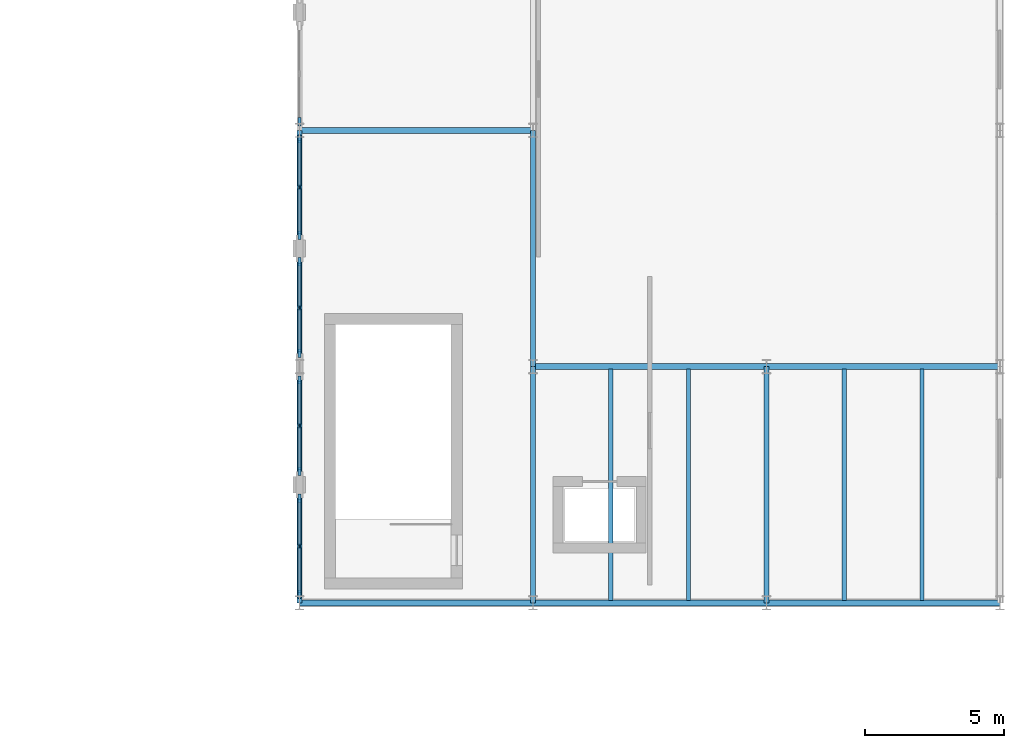
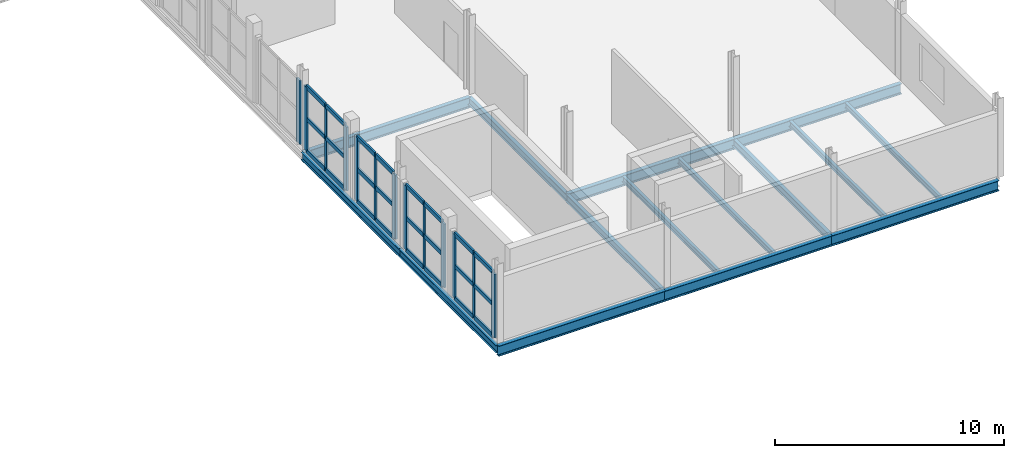
# One storey, part 12 of 45: 37 members, 15 beams, 5 elements without a shape of their own.
"""IFC4 building model written with IfcOpenShell, lengths in metres."""

from ifc_helpers import new_model, si_unit, direction, frame, origin, origin_2d, place, context, subcontext, project, spatial, rectangle, i_section, extrude, material, layer, layer_set, material_profile, profile_set, type_object, element, aggregate, save


model = new_model("IFC4")

# Units and contexts
model_context = context("Model", 3, precision=1e-05, world=origin(), true_north=direction((0.0, 1.0)))
body_context = subcontext(model_context, "Body", "Model", "MODEL_VIEW")
ifc_project = project(units=[si_unit("LENGTHUNIT", "METRE"), si_unit("AREAUNIT", "SQUARE_METRE"), si_unit("VOLUMEUNIT", "CUBIC_METRE"), si_unit("PLANEANGLEUNIT", "RADIAN"), si_unit("MASSUNIT", "GRAM", prefix="KILO")], contexts=[model_context])

# Site, building, storey
site_placement = place(None, origin())
site = spatial("IfcSite", under=ifc_project, at=site_placement, CompositionType="ELEMENT")
building_placement = place(site_placement, origin())
building = spatial("IfcBuilding", under=site, at=building_placement, Name="Sefraquen Railside Congress Hotel", CompositionType="ELEMENT")
storey_placement = place(building_placement, frame((0.0, 0.0, 20.39990234375)))
storey = spatial("IfcBuildingStorey", under=building, at=storey_placement, Name="L04", CompositionType="ELEMENT", Elevation=20.39990234375)

# Beams
ifc_material_1 = material(Name="Steel S355JR", Category="steel")
ifc_material_profile_1 = material_profile(ifc_material_1, i_section(OverallWidth=0.179931640625, OverallDepth=0.39990234375, WebThickness=0.008544921875, FlangeThickness=0.013427734375, FilletRadius=0.02099609375, at=origin_2d()), Name="IPE 400")
ifc_profile_set_1 = profile_set([ifc_material_profile_1], Name="Steel S355JR")
beam_type_1 = type_object("IfcBeamType", Name="TB-BM-400I", PredefinedType="BEAM", material=ifc_profile_set_1)
for number, where, z_axis, x_axis, name in (
    (1, (103.199951171875, 54.0, -0.47998046875), (0.0, 1.0, 0.0), (-1.0, 0.0, 0.0), "Floor beam BM-L04-1396"),
    (2, (103.199951171875, 62.5, -0.47998046875), (0.0, 1.0, 0.0), (-1.0, 0.0, 0.0), "Floor beam BM-L04-1397"),
    (3, (111.60009765625, 54.0, -0.47998046875), (0.0, 1.0, 0.0), (-1.0, 0.0, 0.0), "Floor beam BM-L04-1404"),
    (4, (111.60009765625, 62.5, -0.47998046875), (0.0, 1.0, 0.0), (-1.0, 0.0, 0.0), "Floor beam BM-L04-1405"),
    (5, (120.0, 54.0, -0.47998046875), (0.0, 1.0, 0.0), (-1.0, 0.0, 0.0), "Floor beam BM-L04-1412"),
):
    element("IfcBeam", number, at=place(storey_placement, frame(where, z_axis=z_axis, x_axis=x_axis)), inside=storey, type_object=beam_type_1, Name=name, PredefinedType="BEAM", context=body_context, shape_type="SweptSolid", body=[
        extrude(i_section(OverallWidth=0.179931640625, OverallDepth=0.39990234375, WebThickness=0.008544921875, FlangeThickness=0.013427734375, FilletRadius=0.02099609375, at=origin_2d()), origin(), (0.0, 0.0, 1.0), 8.5),
    ])
ifc_material_profile_2 = material_profile(ifc_material_1, i_section(OverallWidth=0.2099609375, OverallDepth=0.550048828125, WebThickness=0.010986328125, FlangeThickness=0.01708984375, FilletRadius=0.02392578125, at=origin_2d()), Name="IPE 550")
ifc_profile_set_2 = profile_set([ifc_material_profile_2], Name="Steel S355JR")
beam_type_2 = type_object("IfcBeamType", Name="TB-GIR-550", PredefinedType="T_BEAM", material=ifc_profile_set_2)
beam_1_placement = place(storey_placement, frame((103.199951171875, 54.0, -0.554931640625), z_axis=(1.0, 0.0, 0.0), x_axis=(0.0, 1.0, 0.0)))
element("IfcBeam", 6, at=beam_1_placement, inside=storey, type_object=beam_type_2, Name="Primary girder BM-L04-1260", PredefinedType="T_BEAM", context=body_context, shape_type="SweptSolid", body=[
    extrude(i_section(OverallWidth=0.2099609375, OverallDepth=0.550048828125, WebThickness=0.010986328125, FlangeThickness=0.01708984375, FilletRadius=0.02392578125, at=origin_2d()), origin(), (0.0, 0.0, 1.0), 8.400146484375),
])
for number, where, z_axis, x_axis, name in (
    (7, (111.60009765625, 54.0, -0.554931640625), (1.0, 0.0, 0.0), (0.0, 1.0, 0.0), "Primary girder BM-L04-1261"),
    (8, (120.0, 54.0, -0.554931640625), (1.0, 0.0, 0.0), (0.0, 1.0, 0.0), "Primary girder BM-L04-1262"),
    (9, (111.60009765625, 62.5, -0.554931640625), (1.0, 0.0, 0.0), (0.0, 1.0, 0.0), "Primary girder BM-L04-1266"),
    (10, (120.0, 62.5, -0.554931640625), (1.0, 0.0, 0.0), (0.0, 1.0, 0.0), "Primary girder BM-L04-1267"),
):
    element("IfcBeam", number, at=place(storey_placement, frame(where, z_axis=z_axis, x_axis=x_axis)), inside=storey, type_object=beam_type_2, Name=name, PredefinedType="T_BEAM", context=body_context, shape_type="SweptSolid", body=[
        extrude(i_section(OverallWidth=0.2099609375, OverallDepth=0.550048828125, WebThickness=0.010986328125, FlangeThickness=0.01708984375, FilletRadius=0.02392578125, at=origin_2d()), origin(), (0.0, 0.0, 1.0), 8.39990234375),
    ])
beam_2_placement = place(storey_placement, frame((103.199951171875, 71.0, -0.554931640625), z_axis=(1.0, 0.0, 0.0), x_axis=(0.0, 1.0, 0.0)))
element("IfcBeam", 11, at=beam_2_placement, inside=storey, type_object=beam_type_2, Name="Primary girder BM-L04-1271", PredefinedType="T_BEAM", context=body_context, shape_type="SweptSolid", body=[
    extrude(i_section(OverallWidth=0.2099609375, OverallDepth=0.550048828125, WebThickness=0.010986328125, FlangeThickness=0.01708984375, FilletRadius=0.02392578125, at=origin_2d()), origin(), (0.0, 0.0, 1.0), 8.400146484375),
])
ifc_material_profile_3 = material_profile(ifc_material_1, i_section(OverallWidth=0.14990234375, OverallDepth=0.300048828125, WebThickness=0.007080078125, FlangeThickness=0.0107421875, FilletRadius=0.014892578125, at=origin_2d()), Name="IPE 300")
ifc_profile_set_3 = profile_set([ifc_material_profile_3], Name="Steel S355JR")
beam_type_3 = type_object("IfcBeamType", Name="TB-JST-300", PredefinedType="JOIST", material=ifc_profile_set_3)
for number, where, z_axis, x_axis, name in (
    (12, (114.39990234375, 54.0849609375, -0.429931640625), (0.0, 1.0, 0.0), (-1.0, 0.0, 0.0), "Composite floor joist BM-L04-J0920"),
    (13, (117.199951171875, 54.0849609375, -0.429931640625), (0.0, 1.0, 0.0), (-1.0, 0.0, 0.0), "Composite floor joist BM-L04-J0921"),
    (14, (122.800048828125, 54.0849609375, -0.429931640625), (0.0, 1.0, 0.0), (-1.0, 0.0, 0.0), "Composite floor joist BM-L04-J0932"),
    (15, (125.60009765625, 54.0849609375, -0.429931640625), (0.0, 1.0, 0.0), (-1.0, 0.0, 0.0), "Composite floor joist BM-L04-J0933"),
):
    element("IfcBeam", number, at=place(storey_placement, frame(where, z_axis=z_axis, x_axis=x_axis)), inside=storey, type_object=beam_type_3, Name=name, PredefinedType="JOIST", context=body_context, shape_type="SweptSolid", body=[
        extrude(i_section(OverallWidth=0.14990234375, OverallDepth=0.300048828125, WebThickness=0.007080078125, FlangeThickness=0.0107421875, FilletRadius=0.014892578125, at=origin_2d()), origin(), (0.0, 0.0, 1.0), 8.330078125),
    ])

# Curtain wall, member
ifc_material_2 = material(Name="Thermally broken anodised aluminium and low-E double glazing", Category="aluminium")
ifc_layer_1 = layer(ifc_material_2, 0.199951171875)
ifc_layer_set_1 = layer_set([ifc_layer_1], Name="Thermally broken anodised aluminium and low-E double glazing")
curtain_wall_type_1 = type_object("IfcCurtainWallType", Name="TCW-UCW-08", PredefinedType="USERDEFINED", material=ifc_layer_set_1)
curtain_wall_1_placement = place(storey_placement, origin())
curtain_wall_1 = element("IfcCurtainWall", 16, at=curtain_wall_1_placement, inside=storey, type_object=curtain_wall_type_1, Name="Meeting Wing L04 courtyard east curtain wall", ObjectType="UNITISED CURTAIN WALL", PredefinedType="USERDEFINED")
ifc_material_3 = material(Name="Thermally broken anodised aluminium 6063-T6", Category="aluminium")
ifc_material_profile_4 = material_profile(ifc_material_3, rectangle(XDim=0.06494140625, YDim=0.179931640625, at=origin_2d()), Name="CWM 65x180")
ifc_profile_set_4 = profile_set([ifc_material_profile_4], Name="Thermally broken anodised aluminium 6063-T6")
member_type_1 = type_object("IfcMemberType", Name="TM-CWM-02", PredefinedType="MULLION", material=ifc_profile_set_4)
member_1_placement = place(storey_placement, frame((103.199951171875, 56.0400390625, 0.0), z_axis=(0.0, 0.0, 1.0), x_axis=(1.0, 0.0, 0.0)))
member_1 = element("IfcMember", 17, at=member_1_placement, type_object=member_type_1, Name="CW-L04-072 mullion 2", PredefinedType="MULLION", context=body_context, shape_type="SweptSolid", body=[
    extrude(rectangle(XDim=0.06494140625, YDim=0.179931640625, at=origin_2d()), origin(), (0.0, 0.0, 1.0), 3.39013671875),
])

curtain_wall_2_placement = place(storey_placement, origin())
curtain_wall_2 = element("IfcCurtainWall", 18, at=curtain_wall_2_placement, inside=storey, type_object=curtain_wall_type_1, Name="Meeting Wing L04 courtyard east curtain wall bay 2", ObjectType="UNITISED CURTAIN WALL", PredefinedType="USERDEFINED")
member_2_placement = place(storey_placement, frame((103.199951171875, 60.375, 0.0), z_axis=(0.0, 0.0, 1.0), x_axis=(1.0, 0.0, 0.0)))
member_2 = element("IfcMember", 19, at=member_2_placement, type_object=member_type_1, Name="CW-L04-072-S2 mullion 2", PredefinedType="MULLION", context=body_context, shape_type="SweptSolid", body=[
    extrude(rectangle(XDim=0.06494140625, YDim=0.179931640625, at=origin_2d()), origin(), (0.0, 0.0, 1.0), 3.39013671875),
])

curtain_wall_3_placement = place(storey_placement, origin())
curtain_wall_3 = element("IfcCurtainWall", 20, at=curtain_wall_3_placement, inside=storey, type_object=curtain_wall_type_1, Name="Meeting Wing L04 courtyard east curtain wall bay 3", ObjectType="UNITISED CURTAIN WALL", PredefinedType="USERDEFINED")
member_3_placement = place(storey_placement, frame((103.199951171875, 64.625, 0.0), z_axis=(0.0, 0.0, 1.0), x_axis=(1.0, 0.0, 0.0)))
member_3 = element("IfcMember", 21, at=member_3_placement, type_object=member_type_1, Name="CW-L04-072-S3 mullion 2", PredefinedType="MULLION", context=body_context, shape_type="SweptSolid", body=[
    extrude(rectangle(XDim=0.06494140625, YDim=0.179931640625, at=origin_2d()), origin(), (0.0, 0.0, 1.0), 3.39013671875),
])

curtain_wall_4_placement = place(storey_placement, origin())
curtain_wall_4 = element("IfcCurtainWall", 22, at=curtain_wall_4_placement, inside=storey, type_object=curtain_wall_type_1, Name="Meeting Wing L04 courtyard east curtain wall bay 4", ObjectType="UNITISED CURTAIN WALL", PredefinedType="USERDEFINED")
member_4_placement = place(storey_placement, frame((103.199951171875, 68.9599609375, 0.0), z_axis=(0.0, 0.0, 1.0), x_axis=(1.0, 0.0, 0.0)))
member_4 = element("IfcMember", 23, at=member_4_placement, type_object=member_type_1, Name="CW-L04-072-S4 mullion 2", PredefinedType="MULLION", context=body_context, shape_type="SweptSolid", body=[
    extrude(rectangle(XDim=0.06494140625, YDim=0.179931640625, at=origin_2d()), origin(), (0.0, 0.0, 1.0), 3.39013671875),
])

# Member
ifc_material_profile_5 = material_profile(ifc_material_3, rectangle(XDim=0.094970703125, YDim=0.300048828125, at=origin_2d()), Name="CWM 95x300")
ifc_profile_set_5 = profile_set([ifc_material_profile_5], Name="Thermally broken anodised aluminium 6063-T6")
member_type_2 = type_object("IfcMemberType", Name="TM-CWM-08", PredefinedType="MULLION", material=ifc_profile_set_5)
member_5_placement = place(storey_placement, frame((103.199951171875, 54.31005859375, 0.0), z_axis=(0.0, 0.0, 1.0), x_axis=(1.0, 0.0, 0.0)))
member_5 = element("IfcMember", 24, at=member_5_placement, type_object=member_type_2, Name="CW-L04-072 mullion 1", PredefinedType="MULLION", context=body_context, shape_type="SweptSolid", body=[
    extrude(rectangle(XDim=0.094970703125, YDim=0.300048828125, at=origin_2d()), origin(), (0.0, 0.0, 1.0), 3.39013671875),
])

member_6_placement = place(storey_placement, frame((103.199951171875, 57.77001953125, 0.0), z_axis=(0.0, 0.0, 1.0), x_axis=(1.0, 0.0, 0.0)))
member_6 = element("IfcMember", 25, at=member_6_placement, type_object=member_type_2, Name="CW-L04-072 mullion 3", PredefinedType="MULLION", context=body_context, shape_type="SweptSolid", body=[
    extrude(rectangle(XDim=0.094970703125, YDim=0.300048828125, at=origin_2d()), origin(), (0.0, 0.0, 1.0), 3.39013671875),
])

member_7_placement = place(storey_placement, frame((103.199951171875, 58.72998046875, 0.0), z_axis=(0.0, 0.0, 1.0), x_axis=(1.0, 0.0, 0.0)))
member_7 = element("IfcMember", 26, at=member_7_placement, type_object=member_type_2, Name="CW-L04-072-S2 mullion 1", PredefinedType="MULLION", context=body_context, shape_type="SweptSolid", body=[
    extrude(rectangle(XDim=0.094970703125, YDim=0.300048828125, at=origin_2d()), origin(), (0.0, 0.0, 1.0), 3.39013671875),
])

member_8_placement = place(storey_placement, frame((103.199951171875, 62.02001953125, 0.0), z_axis=(0.0, 0.0, 1.0), x_axis=(1.0, 0.0, 0.0)))
member_8 = element("IfcMember", 27, at=member_8_placement, type_object=member_type_2, Name="CW-L04-072-S2 mullion 3", PredefinedType="MULLION", context=body_context, shape_type="SweptSolid", body=[
    extrude(rectangle(XDim=0.094970703125, YDim=0.300048828125, at=origin_2d()), origin(), (0.0, 0.0, 1.0), 3.39013671875),
])

member_9_placement = place(storey_placement, frame((103.199951171875, 62.97998046875, 0.0), z_axis=(0.0, 0.0, 1.0), x_axis=(1.0, 0.0, 0.0)))
member_9 = element("IfcMember", 28, at=member_9_placement, type_object=member_type_2, Name="CW-L04-072-S3 mullion 1", PredefinedType="MULLION", context=body_context, shape_type="SweptSolid", body=[
    extrude(rectangle(XDim=0.094970703125, YDim=0.300048828125, at=origin_2d()), origin(), (0.0, 0.0, 1.0), 3.39013671875),
])

member_10_placement = place(storey_placement, frame((103.199951171875, 66.27001953125, 0.0), z_axis=(0.0, 0.0, 1.0), x_axis=(1.0, 0.0, 0.0)))
member_10 = element("IfcMember", 29, at=member_10_placement, type_object=member_type_2, Name="CW-L04-072-S3 mullion 3", PredefinedType="MULLION", context=body_context, shape_type="SweptSolid", body=[
    extrude(rectangle(XDim=0.094970703125, YDim=0.300048828125, at=origin_2d()), origin(), (0.0, 0.0, 1.0), 3.39013671875),
])

member_11_placement = place(storey_placement, frame((103.199951171875, 67.22998046875, 0.0), z_axis=(0.0, 0.0, 1.0), x_axis=(1.0, 0.0, 0.0)))
member_11 = element("IfcMember", 30, at=member_11_placement, type_object=member_type_2, Name="CW-L04-072-S4 mullion 1", PredefinedType="MULLION", context=body_context, shape_type="SweptSolid", body=[
    extrude(rectangle(XDim=0.094970703125, YDim=0.300048828125, at=origin_2d()), origin(), (0.0, 0.0, 1.0), 3.39013671875),
])

member_12_placement = place(storey_placement, frame((103.199951171875, 70.68994140625, 0.0), z_axis=(0.0, 0.0, 1.0), x_axis=(1.0, 0.0, 0.0)))
member_12 = element("IfcMember", 31, at=member_12_placement, type_object=member_type_2, Name="CW-L04-072-S4 mullion 3", PredefinedType="MULLION", context=body_context, shape_type="SweptSolid", body=[
    extrude(rectangle(XDim=0.094970703125, YDim=0.300048828125, at=origin_2d()), origin(), (0.0, 0.0, 1.0), 3.39013671875),
])

# Curtain wall, member
ifc_layer_2 = layer(ifc_material_2, 0.199951171875)
ifc_layer_set_2 = layer_set([ifc_layer_2], Name="Thermally broken anodised aluminium and low-E double glazing")
curtain_wall_type_2 = type_object("IfcCurtainWallType", Name="TCW-UCW-09", PredefinedType="USERDEFINED", material=ifc_layer_set_2)
curtain_wall_5_placement = place(storey_placement, origin())
curtain_wall_5 = element("IfcCurtainWall", 32, at=curtain_wall_5_placement, inside=storey, type_object=curtain_wall_type_2, Name="Meeting Wing L04 courtyard east curtain wall", ObjectType="UNITISED CURTAIN WALL", PredefinedType="USERDEFINED")
member_13_placement = place(storey_placement, frame((103.199951171875, 71.31005859375, 0.0), z_axis=(0.0, 0.0, 1.0), x_axis=(1.0, 0.0, 0.0)))
member_13 = element("IfcMember", 33, at=member_13_placement, type_object=member_type_2, Name="CW-L04-073 mullion 1", PredefinedType="MULLION", context=body_context, shape_type="SweptSolid", body=[
    extrude(rectangle(XDim=0.094970703125, YDim=0.300048828125, at=origin_2d()), origin(), (0.0, 0.0, 1.0), 3.39013671875),
])
aggregate(curtain_wall_5, [member_13])

# Member
ifc_material_profile_6 = material_profile(ifc_material_3, rectangle(XDim=0.094970703125, YDim=0.22509765625, at=origin_2d()), Name="CWT 95x225")
ifc_profile_set_6 = profile_set([ifc_material_profile_6], Name="Thermally broken anodised aluminium 6063-T6")
member_type_3 = type_object("IfcMemberType", Name="TM-CWT-08", PredefinedType="USERDEFINED", material=ifc_profile_set_6)
member_14_placement = place(storey_placement, frame((103.199951171875, 54.35498046875, 0.0), z_axis=(0.0, 1.0, 0.0), x_axis=(-1.0, 0.0, 0.0)))
member_14 = element("IfcMember", 34, at=member_14_placement, type_object=member_type_3, Name="CW-L04-072 transom 1.1", ObjectType="TRANSOM", PredefinedType="USERDEFINED", context=body_context, shape_type="SweptSolid", body=[
    extrude(rectangle(XDim=0.094970703125, YDim=0.22509765625, at=origin_2d()), origin(), (0.0, 0.0, 1.0), 1.64013671875),
])

member_15_placement = place(storey_placement, frame((103.199951171875, 56.0849609375, 0.0), z_axis=(0.0, 1.0, 0.0), x_axis=(-1.0, 0.0, 0.0)))
member_15 = element("IfcMember", 35, at=member_15_placement, type_object=member_type_3, Name="CW-L04-072 transom 1.2", ObjectType="TRANSOM", PredefinedType="USERDEFINED", context=body_context, shape_type="SweptSolid", body=[
    extrude(rectangle(XDim=0.094970703125, YDim=0.22509765625, at=origin_2d()), origin(), (0.0, 0.0, 1.0), 1.64013671875),
])

member_16_placement = place(storey_placement, frame((103.199951171875, 54.35498046875, 1.695068359375), z_axis=(0.0, 1.0, 0.0), x_axis=(-1.0, 0.0, 0.0)))
member_16 = element("IfcMember", 36, at=member_16_placement, type_object=member_type_3, Name="CW-L04-072 transom 2.1", ObjectType="TRANSOM", PredefinedType="USERDEFINED", context=body_context, shape_type="SweptSolid", body=[
    extrude(rectangle(XDim=0.094970703125, YDim=0.22509765625, at=origin_2d()), origin(), (0.0, 0.0, 1.0), 1.64013671875),
])

member_17_placement = place(storey_placement, frame((103.199951171875, 56.0849609375, 1.695068359375), z_axis=(0.0, 1.0, 0.0), x_axis=(-1.0, 0.0, 0.0)))
member_17 = element("IfcMember", 37, at=member_17_placement, type_object=member_type_3, Name="CW-L04-072 transom 2.2", ObjectType="TRANSOM", PredefinedType="USERDEFINED", context=body_context, shape_type="SweptSolid", body=[
    extrude(rectangle(XDim=0.094970703125, YDim=0.22509765625, at=origin_2d()), origin(), (0.0, 0.0, 1.0), 1.64013671875),
])

member_18_placement = place(storey_placement, frame((103.199951171875, 54.35498046875, 3.39013671875), z_axis=(0.0, 1.0, 0.0), x_axis=(-1.0, 0.0, 0.0)))
member_18 = element("IfcMember", 38, at=member_18_placement, type_object=member_type_3, Name="CW-L04-072 transom 3.1", ObjectType="TRANSOM", PredefinedType="USERDEFINED", context=body_context, shape_type="SweptSolid", body=[
    extrude(rectangle(XDim=0.094970703125, YDim=0.22509765625, at=origin_2d()), origin(), (0.0, 0.0, 1.0), 1.64013671875),
])

member_19_placement = place(storey_placement, frame((103.199951171875, 56.0849609375, 3.39013671875), z_axis=(0.0, 1.0, 0.0), x_axis=(-1.0, 0.0, 0.0)))
member_19 = element("IfcMember", 39, at=member_19_placement, type_object=member_type_3, Name="CW-L04-072 transom 3.2", ObjectType="TRANSOM", PredefinedType="USERDEFINED", context=body_context, shape_type="SweptSolid", body=[
    extrude(rectangle(XDim=0.094970703125, YDim=0.22509765625, at=origin_2d()), origin(), (0.0, 0.0, 1.0), 1.64013671875),
])

aggregate(curtain_wall_1, [member_5, member_1, member_6, member_14, member_15, member_16, member_17, member_18, member_19])

member_20_placement = place(storey_placement, frame((103.199951171875, 58.77490234375, 0.0), z_axis=(0.0, 1.0, 0.0), x_axis=(-1.0, 0.0, 0.0)))
member_20 = element("IfcMember", 40, at=member_20_placement, type_object=member_type_3, Name="CW-L04-072-S2 transom 1.1", ObjectType="TRANSOM", PredefinedType="USERDEFINED", context=body_context, shape_type="SweptSolid", body=[
    extrude(rectangle(XDim=0.094970703125, YDim=0.22509765625, at=origin_2d()), origin(), (0.0, 0.0, 1.0), 1.55517578125),
])

member_21_placement = place(storey_placement, frame((103.199951171875, 60.419921875, 0.0), z_axis=(0.0, 1.0, 0.0), x_axis=(-1.0, 0.0, 0.0)))
member_21 = element("IfcMember", 41, at=member_21_placement, type_object=member_type_3, Name="CW-L04-072-S2 transom 1.2", ObjectType="TRANSOM", PredefinedType="USERDEFINED", context=body_context, shape_type="SweptSolid", body=[
    extrude(rectangle(XDim=0.094970703125, YDim=0.22509765625, at=origin_2d()), origin(), (0.0, 0.0, 1.0), 1.55517578125),
])

member_22_placement = place(storey_placement, frame((103.199951171875, 58.77490234375, 1.695068359375), z_axis=(0.0, 1.0, 0.0), x_axis=(-1.0, 0.0, 0.0)))
member_22 = element("IfcMember", 42, at=member_22_placement, type_object=member_type_3, Name="CW-L04-072-S2 transom 2.1", ObjectType="TRANSOM", PredefinedType="USERDEFINED", context=body_context, shape_type="SweptSolid", body=[
    extrude(rectangle(XDim=0.094970703125, YDim=0.22509765625, at=origin_2d()), origin(), (0.0, 0.0, 1.0), 1.55517578125),
])

member_23_placement = place(storey_placement, frame((103.199951171875, 60.419921875, 1.695068359375), z_axis=(0.0, 1.0, 0.0), x_axis=(-1.0, 0.0, 0.0)))
member_23 = element("IfcMember", 43, at=member_23_placement, type_object=member_type_3, Name="CW-L04-072-S2 transom 2.2", ObjectType="TRANSOM", PredefinedType="USERDEFINED", context=body_context, shape_type="SweptSolid", body=[
    extrude(rectangle(XDim=0.094970703125, YDim=0.22509765625, at=origin_2d()), origin(), (0.0, 0.0, 1.0), 1.55517578125),
])

member_24_placement = place(storey_placement, frame((103.199951171875, 58.77490234375, 3.39013671875), z_axis=(0.0, 1.0, 0.0), x_axis=(-1.0, 0.0, 0.0)))
member_24 = element("IfcMember", 44, at=member_24_placement, type_object=member_type_3, Name="CW-L04-072-S2 transom 3.1", ObjectType="TRANSOM", PredefinedType="USERDEFINED", context=body_context, shape_type="SweptSolid", body=[
    extrude(rectangle(XDim=0.094970703125, YDim=0.22509765625, at=origin_2d()), origin(), (0.0, 0.0, 1.0), 1.55517578125),
])

member_25_placement = place(storey_placement, frame((103.199951171875, 60.419921875, 3.39013671875), z_axis=(0.0, 1.0, 0.0), x_axis=(-1.0, 0.0, 0.0)))
member_25 = element("IfcMember", 45, at=member_25_placement, type_object=member_type_3, Name="CW-L04-072-S2 transom 3.2", ObjectType="TRANSOM", PredefinedType="USERDEFINED", context=body_context, shape_type="SweptSolid", body=[
    extrude(rectangle(XDim=0.094970703125, YDim=0.22509765625, at=origin_2d()), origin(), (0.0, 0.0, 1.0), 1.55517578125),
])

aggregate(curtain_wall_2, [member_7, member_2, member_8, member_20, member_21, member_22, member_23, member_24, member_25])

member_26_placement = place(storey_placement, frame((103.199951171875, 63.02490234375, 0.0), z_axis=(0.0, 1.0, 0.0), x_axis=(-1.0, 0.0, 0.0)))
member_26 = element("IfcMember", 46, at=member_26_placement, type_object=member_type_3, Name="CW-L04-072-S3 transom 1.1", ObjectType="TRANSOM", PredefinedType="USERDEFINED", context=body_context, shape_type="SweptSolid", body=[
    extrude(rectangle(XDim=0.094970703125, YDim=0.22509765625, at=origin_2d()), origin(), (0.0, 0.0, 1.0), 1.55517578125),
])

member_27_placement = place(storey_placement, frame((103.199951171875, 64.669921875, 0.0), z_axis=(0.0, 1.0, 0.0), x_axis=(-1.0, 0.0, 0.0)))
member_27 = element("IfcMember", 47, at=member_27_placement, type_object=member_type_3, Name="CW-L04-072-S3 transom 1.2", ObjectType="TRANSOM", PredefinedType="USERDEFINED", context=body_context, shape_type="SweptSolid", body=[
    extrude(rectangle(XDim=0.094970703125, YDim=0.22509765625, at=origin_2d()), origin(), (0.0, 0.0, 1.0), 1.55517578125),
])

member_28_placement = place(storey_placement, frame((103.199951171875, 63.02490234375, 1.695068359375), z_axis=(0.0, 1.0, 0.0), x_axis=(-1.0, 0.0, 0.0)))
member_28 = element("IfcMember", 48, at=member_28_placement, type_object=member_type_3, Name="CW-L04-072-S3 transom 2.1", ObjectType="TRANSOM", PredefinedType="USERDEFINED", context=body_context, shape_type="SweptSolid", body=[
    extrude(rectangle(XDim=0.094970703125, YDim=0.22509765625, at=origin_2d()), origin(), (0.0, 0.0, 1.0), 1.55517578125),
])

member_29_placement = place(storey_placement, frame((103.199951171875, 64.669921875, 1.695068359375), z_axis=(0.0, 1.0, 0.0), x_axis=(-1.0, 0.0, 0.0)))
member_29 = element("IfcMember", 49, at=member_29_placement, type_object=member_type_3, Name="CW-L04-072-S3 transom 2.2", ObjectType="TRANSOM", PredefinedType="USERDEFINED", context=body_context, shape_type="SweptSolid", body=[
    extrude(rectangle(XDim=0.094970703125, YDim=0.22509765625, at=origin_2d()), origin(), (0.0, 0.0, 1.0), 1.55517578125),
])

member_30_placement = place(storey_placement, frame((103.199951171875, 63.02490234375, 3.39013671875), z_axis=(0.0, 1.0, 0.0), x_axis=(-1.0, 0.0, 0.0)))
member_30 = element("IfcMember", 50, at=member_30_placement, type_object=member_type_3, Name="CW-L04-072-S3 transom 3.1", ObjectType="TRANSOM", PredefinedType="USERDEFINED", context=body_context, shape_type="SweptSolid", body=[
    extrude(rectangle(XDim=0.094970703125, YDim=0.22509765625, at=origin_2d()), origin(), (0.0, 0.0, 1.0), 1.55517578125),
])

member_31_placement = place(storey_placement, frame((103.199951171875, 64.669921875, 3.39013671875), z_axis=(0.0, 1.0, 0.0), x_axis=(-1.0, 0.0, 0.0)))
member_31 = element("IfcMember", 51, at=member_31_placement, type_object=member_type_3, Name="CW-L04-072-S3 transom 3.2", ObjectType="TRANSOM", PredefinedType="USERDEFINED", context=body_context, shape_type="SweptSolid", body=[
    extrude(rectangle(XDim=0.094970703125, YDim=0.22509765625, at=origin_2d()), origin(), (0.0, 0.0, 1.0), 1.55517578125),
])

aggregate(curtain_wall_3, [member_9, member_3, member_10, member_26, member_27, member_28, member_29, member_30, member_31])

member_32_placement = place(storey_placement, frame((103.199951171875, 67.27490234375, 0.0), z_axis=(0.0, 1.0, 0.0), x_axis=(-1.0, 0.0, 0.0)))
member_32 = element("IfcMember", 52, at=member_32_placement, type_object=member_type_3, Name="CW-L04-072-S4 transom 1.1", ObjectType="TRANSOM", PredefinedType="USERDEFINED", context=body_context, shape_type="SweptSolid", body=[
    extrude(rectangle(XDim=0.094970703125, YDim=0.22509765625, at=origin_2d()), origin(), (0.0, 0.0, 1.0), 1.64013671875),
])

member_33_placement = place(storey_placement, frame((103.199951171875, 69.0048828125, 0.0), z_axis=(0.0, 1.0, 0.0), x_axis=(-1.0, 0.0, 0.0)))
member_33 = element("IfcMember", 53, at=member_33_placement, type_object=member_type_3, Name="CW-L04-072-S4 transom 1.2", ObjectType="TRANSOM", PredefinedType="USERDEFINED", context=body_context, shape_type="SweptSolid", body=[
    extrude(rectangle(XDim=0.094970703125, YDim=0.22509765625, at=origin_2d()), origin(), (0.0, 0.0, 1.0), 1.64013671875),
])

member_34_placement = place(storey_placement, frame((103.199951171875, 67.27490234375, 1.695068359375), z_axis=(0.0, 1.0, 0.0), x_axis=(-1.0, 0.0, 0.0)))
member_34 = element("IfcMember", 54, at=member_34_placement, type_object=member_type_3, Name="CW-L04-072-S4 transom 2.1", ObjectType="TRANSOM", PredefinedType="USERDEFINED", context=body_context, shape_type="SweptSolid", body=[
    extrude(rectangle(XDim=0.094970703125, YDim=0.22509765625, at=origin_2d()), origin(), (0.0, 0.0, 1.0), 1.64013671875),
])

member_35_placement = place(storey_placement, frame((103.199951171875, 69.0048828125, 1.695068359375), z_axis=(0.0, 1.0, 0.0), x_axis=(-1.0, 0.0, 0.0)))
member_35 = element("IfcMember", 55, at=member_35_placement, type_object=member_type_3, Name="CW-L04-072-S4 transom 2.2", ObjectType="TRANSOM", PredefinedType="USERDEFINED", context=body_context, shape_type="SweptSolid", body=[
    extrude(rectangle(XDim=0.094970703125, YDim=0.22509765625, at=origin_2d()), origin(), (0.0, 0.0, 1.0), 1.64013671875),
])

member_36_placement = place(storey_placement, frame((103.199951171875, 67.27490234375, 3.39013671875), z_axis=(0.0, 1.0, 0.0), x_axis=(-1.0, 0.0, 0.0)))
member_36 = element("IfcMember", 56, at=member_36_placement, type_object=member_type_3, Name="CW-L04-072-S4 transom 3.1", ObjectType="TRANSOM", PredefinedType="USERDEFINED", context=body_context, shape_type="SweptSolid", body=[
    extrude(rectangle(XDim=0.094970703125, YDim=0.22509765625, at=origin_2d()), origin(), (0.0, 0.0, 1.0), 1.64013671875),
])

member_37_placement = place(storey_placement, frame((103.199951171875, 69.0048828125, 3.39013671875), z_axis=(0.0, 1.0, 0.0), x_axis=(-1.0, 0.0, 0.0)))
member_37 = element("IfcMember", 57, at=member_37_placement, type_object=member_type_3, Name="CW-L04-072-S4 transom 3.2", ObjectType="TRANSOM", PredefinedType="USERDEFINED", context=body_context, shape_type="SweptSolid", body=[
    extrude(rectangle(XDim=0.094970703125, YDim=0.22509765625, at=origin_2d()), origin(), (0.0, 0.0, 1.0), 1.64013671875),
])

aggregate(curtain_wall_4, [member_11, member_4, member_12, member_32, member_33, member_34, member_35, member_36, member_37])

save(model, "model.ifc")
